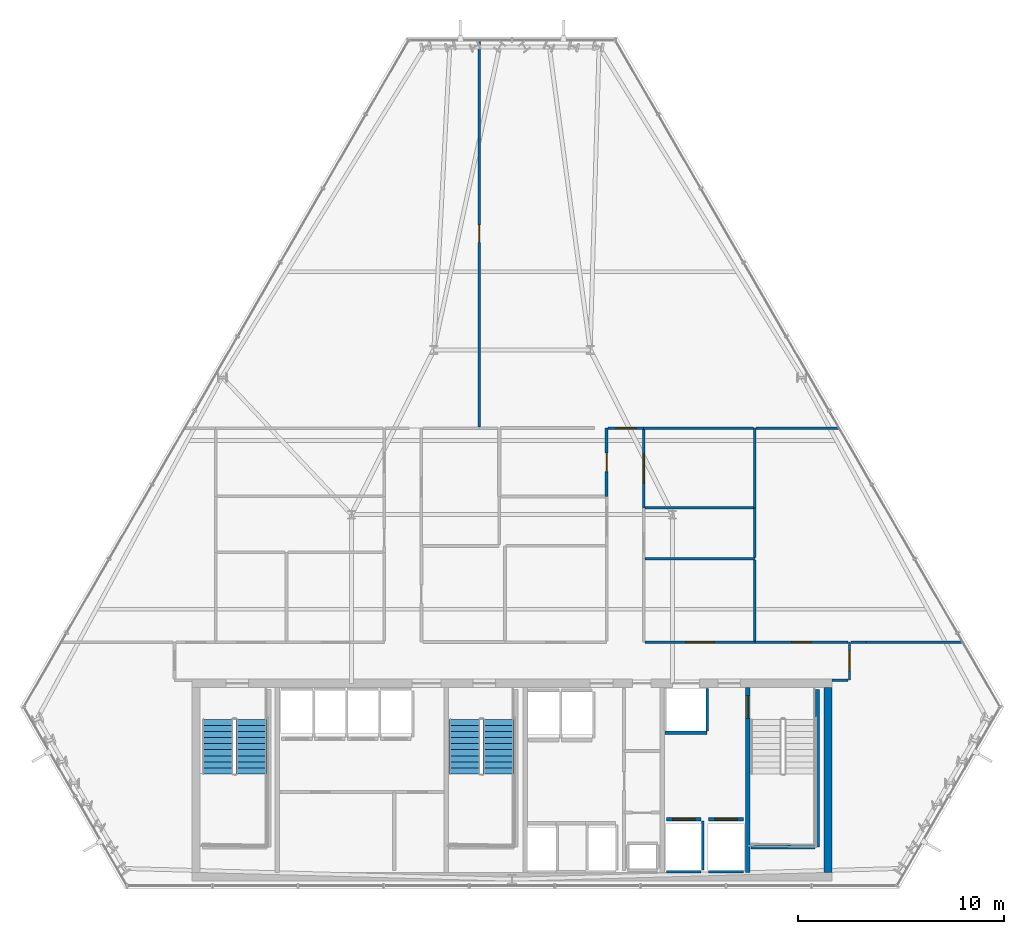
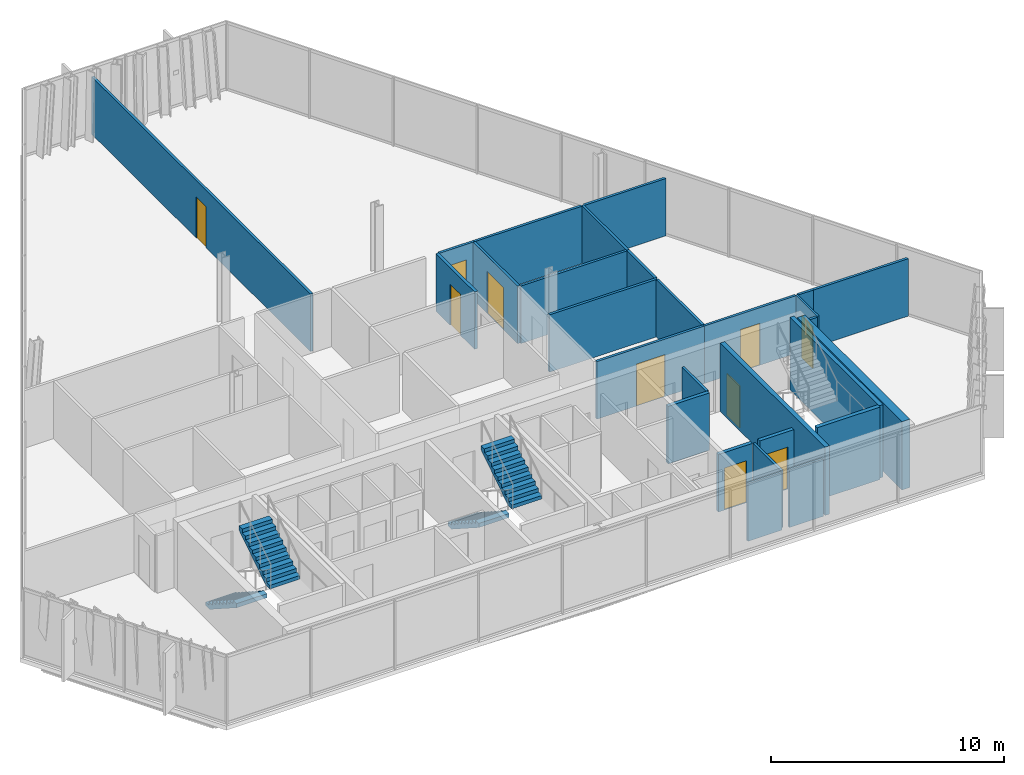
# One storey, part 30 of 35: 28 walls, 10 doors, 4 stair flights, 10 openings, 2 elements without a shape of their own.
"""IFC4 building model written with IfcOpenShell, lengths in metres."""

from ifc_helpers import new_model, si_unit, direction, frame, frame_2d, origin, place, context, subcontext, project, spatial, polyline, rectangle, outline, extrude, material, layer, layer_set, type_object, element, fill, aggregate, save


model = new_model("IFC4")

# Units and contexts
model_context = context("Model", 3, precision=1e-05, world=origin(), true_north=direction((0.0, 1.0)))
body_context = subcontext(model_context, "Body", "Model", "MODEL_VIEW")
ifc_project = project(units=[si_unit("LENGTHUNIT", "METRE"), si_unit("AREAUNIT", "SQUARE_METRE"), si_unit("VOLUMEUNIT", "CUBIC_METRE"), si_unit("PLANEANGLEUNIT", "RADIAN"), si_unit("MASSUNIT", "GRAM", prefix="KILO")], contexts=[model_context])

# Site, building, storey
site_placement = place(None, origin())
site = spatial("IfcSite", under=ifc_project, at=site_placement, CompositionType="ELEMENT")
building_placement = place(site_placement, origin())
building = spatial("IfcBuilding", under=site, at=building_placement, Name="Ndaravel Arena Tower", CompositionType="ELEMENT")
storey_placement = place(building_placement, frame((0.0, 0.0, 180.199951171875)))
storey = spatial("IfcBuildingStorey", under=building, at=storey_placement, Name="L43", CompositionType="ELEMENT", Elevation=180.199951171875)

# Wall, opening, door
ifc_material_1 = material(Name="Concrete C50/60", Category="concrete")
ifc_layer_1 = layer(ifc_material_1, 0.219970703125)
ifc_layer_set_1 = layer_set([ifc_layer_1], Name="Concrete C50/60")
wall_type_1 = type_object("IfcWallType", Name="WALL-CORE-220", PredefinedType="SOLIDWALL", material=ifc_layer_set_1)
wall_1_placement = place(storey_placement, frame((53.449951171875, 5.800048828125, 0.0), z_axis=(0.0, 0.0, 1.0), x_axis=(0.0, 1.0, 0.0)))
wall_1 = element("IfcWall", 1, at=wall_1_placement, inside=storey, type_object=wall_type_1, Name="L43 Core Web Shear Wall 5", PredefinedType="SOLIDWALL", context=body_context, shape_type="SweptSolid", body=[
    extrude(rectangle(XDim=9.0, YDim=0.219970703125, at=frame_2d((4.5, 0.0))), origin(), (0.0, 0.0, 1.0), 3.580078125),
])
opening_1_placement = place(wall_1_placement, frame((7.5, 0.0, 0.0)))
opening_1 = element("IfcOpeningElement", 2, at=opening_1_placement, cuts=wall_1, Name="Opening FD-01", PredefinedType="OPENING", context=body_context, shape_type="SweptSolid", body=[
    extrude(rectangle(XDim=1.10009765625, YDim=2.199951171875, at=frame_2d((0.550048828125, 1.10009765625))), frame((0.0, 0.10986328125, 0.0), z_axis=(0.0, -1.0, 0.0), x_axis=(1.0, 0.0, 0.0)), (0.0, 0.0, 1.0), 0.219970703125),
])
ifc_material_2 = material(Name="Steel S355", Category="steel")
door_type_1 = type_object("IfcDoorType", Name="DT-01-STAIR-1100", OperationType="SINGLE_SWING_LEFT", PredefinedType="DOOR", material=ifc_material_2)
door_1_placement = place(opening_1_placement, origin())
door_1 = element("IfcDoor", 3, at=door_1_placement, inside=storey, type_object=door_type_1, Name="L43 Firefighting Lobby to ST-3 Door", OperationType="SINGLE_SWING_LEFT", OverallHeight=2.199951171875, OverallWidth=1.10009765625, PredefinedType="DOOR", context=body_context, shape_type="SweptSolid", body=[
    extrude(rectangle(XDim=1.10009765625, YDim=2.199951171875, at=frame_2d((0.550048828125, 1.10009765625))), frame((0.0, 0.02490234375, 0.0), z_axis=(0.0, -1.0, 0.0), x_axis=(1.0, 0.0, 0.0)), (0.0, 0.0, 1.0), 0.050048828125),
])
fill(opening_1, door_1)

# Wall
ifc_material_3 = material(Name="Concrete C50/60", Category="concrete")
ifc_layer_2 = layer(ifc_material_3, 0.39990234375)
ifc_layer_set_2 = layer_set([ifc_layer_2], Name="Concrete C50/60")
wall_type_2 = type_object("IfcWallType", Name="WALL-CORE-400", PredefinedType="SOLIDWALL", material=ifc_layer_set_2)
wall_2_placement = place(storey_placement, frame((57.35009765625, 5.800048828125, 0.0), z_axis=(0.0, 0.0, 1.0), x_axis=(0.0, 1.0, 0.0)))
element("IfcWall", 4, at=wall_2_placement, inside=storey, type_object=wall_type_2, Name="L43 Core East Shear Wall", PredefinedType="SOLIDWALL", context=body_context, shape_type="SweptSolid", body=[
    extrude(rectangle(XDim=9.0, YDim=0.39990234375, at=frame_2d((4.5, 0.0))), origin(), (0.0, 0.0, 1.0), 3.580078125),
])

# Wall, opening, door
ifc_material_4 = material(Name="Timber", Category="wood")
ifc_layer_3 = layer(ifc_material_4, 0.10009765625)
ifc_layer_set_3 = layer_set([ifc_layer_3], Name="Timber")
wall_type_3 = type_object("IfcWallType", Name="WALL-MOVABLE-100", PredefinedType="MOVABLE", material=ifc_layer_set_3)
wall_3_placement = place(storey_placement, frame((58.39990234375, 17.0, 0.0), z_axis=(0.0, 0.0, 1.0), x_axis=(0.0, -1.0, 0.0)))
wall_3 = element("IfcWall", 5, at=wall_3_placement, inside=storey, type_object=wall_type_3, Name="L43 Interior Partition 001", PredefinedType="MOVABLE", context=body_context, shape_type="SweptSolid", body=[
    extrude(rectangle(XDim=1.85009765625, YDim=0.10009765625, at=frame_2d((0.925048828125, 0.0))), origin(), (0.0, 0.0, 1.0), 3.010498046875),
])
opening_2_placement = place(wall_3_placement, frame((0.449951171875, 0.0, 0.0)))
opening_2 = element("IfcOpeningElement", 6, at=opening_2_placement, cuts=wall_3, Name="Opening ID-01", PredefinedType="OPENING", context=body_context, shape_type="SweptSolid", body=[
    extrude(rectangle(XDim=0.949951171875, YDim=2.199951171875, at=frame_2d((0.47509765625, 1.10009765625))), frame((0.0, 0.050048828125, 0.0), z_axis=(0.0, -1.0, 0.0), x_axis=(1.0, 0.0, 0.0)), (0.0, 0.0, 1.0), 0.10009765625),
])
ifc_material_5 = material(Name="Timber", Category="wood")
door_type_2 = type_object("IfcDoorType", Name="DT-03-OFFICE-950", OperationType="SINGLE_SWING_LEFT", PredefinedType="DOOR", material=ifc_material_5)
door_2_placement = place(opening_2_placement, origin())
door_2 = element("IfcDoor", 7, at=door_2_placement, inside=storey, type_object=door_type_2, Name="L43 Design Bookshop Boutique Door", OperationType="SINGLE_SWING_LEFT", OverallHeight=2.199951171875, OverallWidth=0.949951171875, PredefinedType="DOOR", context=body_context, shape_type="SweptSolid", body=[
    extrude(rectangle(XDim=0.949951171875, YDim=2.199951171875, at=frame_2d((0.47509765625, 1.10009765625))), frame((0.0, 0.02490234375, 0.0), z_axis=(0.0, -1.0, 0.0), x_axis=(1.0, 0.0, 0.0)), (0.0, 0.0, 1.0), 0.050048828125),
])
fill(opening_2, door_2)

# Wall
ifc_material_6 = material(Name="Gypsum", Category="gypsum")
ifc_layer_4 = layer(ifc_material_6, 0.125)
ifc_layer_set_4 = layer_set([ifc_layer_4], Name="Gypsum")
wall_type_4 = type_object("IfcWallType", Name="WALL-PART-125", PredefinedType="PARTITIONING", material=ifc_layer_set_4)
wall_4_placement = place(storey_placement, frame((58.3349609375, 15.14990234375, 0.0), z_axis=(0.0, 0.0, 1.0), x_axis=(-1.0, 0.0, 0.0)))
element("IfcWall", 8, at=wall_4_placement, inside=storey, type_object=wall_type_4, Name="L43 Interior Partition 002", PredefinedType="PARTITIONING", context=body_context, shape_type="SweptSolid", body=[
    extrude(rectangle(XDim=0.784912109375, YDim=0.125, at=frame_2d((0.392578125, 0.0))), origin(), (0.0, 0.0, 1.0), 3.010498046875),
])

# Wall, opening, door
wall_5_placement = place(storey_placement, frame((46.6650390625, 27.39990234375, 0.0), z_axis=(0.0, 0.0, 1.0), x_axis=(1.0, 0.0, 0.0)))
wall_5 = element("IfcWall", 9, at=wall_5_placement, inside=storey, type_object=wall_type_4, Name="L43 Interior Partition 019", PredefinedType="PARTITIONING", context=body_context, shape_type="SweptSolid", body=[
    extrude(rectangle(XDim=1.73486328125, YDim=0.125, at=frame_2d((0.867431640625, 0.0))), origin(), (0.0, 0.0, 1.0), 3.010498046875),
])
opening_3_placement = place(wall_5_placement, frame((0.392578125, 0.0, 0.0)))
opening_3 = element("IfcOpeningElement", 10, at=opening_3_placement, cuts=wall_5, Name="Opening ID-01", PredefinedType="OPENING", context=body_context, shape_type="SweptSolid", body=[
    extrude(rectangle(XDim=0.949951171875, YDim=2.199951171875, at=frame_2d((0.47509765625, 1.10009765625))), frame((0.0, 0.0625, 0.0), z_axis=(0.0, -1.0, 0.0), x_axis=(1.0, 0.0, 0.0)), (0.0, 0.0, 1.0), 0.125),
])
door_3_placement = place(opening_3_placement, origin())
door_3 = element("IfcDoor", 11, at=door_3_placement, inside=storey, type_object=door_type_2, Name="L43 Innovation Showroom 7 Door", OperationType="SINGLE_SWING_LEFT", OverallHeight=2.199951171875, OverallWidth=0.949951171875, PredefinedType="DOOR", context=body_context, shape_type="SweptSolid", body=[
    extrude(rectangle(XDim=0.949951171875, YDim=2.199951171875, at=frame_2d((0.47509765625, 1.10009765625))), frame((0.0, 0.02490234375, 0.0), z_axis=(0.0, -1.0, 0.0), x_axis=(1.0, 0.0, 0.0)), (0.0, 0.0, 1.0), 0.050048828125),
])
fill(opening_3, door_3)

wall_6_placement = place(storey_placement, frame((48.39990234375, 27.3349609375, 0.0), z_axis=(0.0, 0.0, 1.0), x_axis=(0.0, -1.0, 0.0)))
wall_6 = element("IfcWall", 12, at=wall_6_placement, inside=storey, type_object=wall_type_4, Name="L43 Interior Partition 020", PredefinedType="PARTITIONING", context=body_context, shape_type="SweptSolid", body=[
    extrude(rectangle(XDim=3.8046875, YDim=0.125, at=frame_2d((1.90234375, 0.0))), origin(), (0.0, 0.0, 1.0), 3.010498046875),
])
opening_4_placement = place(wall_6_placement, frame((1.202392578125, 0.0, 0.0)))
opening_4 = element("IfcOpeningElement", 13, at=opening_4_placement, cuts=wall_6, Name="Opening ID-02", PredefinedType="OPENING", context=body_context, shape_type="SweptSolid", body=[
    extrude(rectangle(XDim=1.39990234375, YDim=2.199951171875, at=frame_2d((0.699951171875, 1.10009765625))), frame((0.0, 0.0625, 0.0), z_axis=(0.0, -1.0, 0.0), x_axis=(1.0, 0.0, 0.0)), (0.0, 0.0, 1.0), 0.125),
])
ifc_material_7 = material(Name="Timber", Category="wood")
door_type_3 = type_object("IfcDoorType", Name="DT-04-SUITE-1400", OperationType="DOUBLE_DOOR_SINGLE_SWING", PredefinedType="DOOR", material=ifc_material_7)
door_4_placement = place(opening_4_placement, origin())
door_4 = element("IfcDoor", 14, at=door_4_placement, inside=storey, type_object=door_type_3, Name="L43 Client Conference Room 6 Door", OperationType="SINGLE_SWING_LEFT", OverallHeight=2.199951171875, OverallWidth=1.39990234375, PredefinedType="DOOR", context=body_context, shape_type="SweptSolid", body=[
    extrude(rectangle(XDim=1.39990234375, YDim=2.199951171875, at=frame_2d((0.699951171875, 1.10009765625))), frame((0.0, 0.02490234375, 0.0), z_axis=(0.0, -1.0, 0.0), x_axis=(1.0, 0.0, 0.0)), (0.0, 0.0, 1.0), 0.050048828125),
])
fill(opening_4, door_4)

wall_7_placement = place(storey_placement, frame((48.465087890625, 17.0, 0.0), z_axis=(0.0, 0.0, 1.0), x_axis=(1.0, 0.0, 0.0)))
wall_7 = element("IfcWall", 15, at=wall_7_placement, inside=storey, type_object=wall_type_4, Name="L43 Interior Partition 023", PredefinedType="PARTITIONING", context=body_context, shape_type="SweptSolid", body=[
    extrude(rectangle(XDim=5.3349609375, YDim=0.125, at=frame_2d((2.66748046875, 0.0))), origin(), (0.0, 0.0, 1.0), 3.010498046875),
])
opening_5_placement = place(wall_7_placement, frame((1.967529296875, 0.0, 0.0)))
opening_5 = element("IfcOpeningElement", 16, at=opening_5_placement, cuts=wall_7, Name="Opening ID-02", PredefinedType="OPENING", context=body_context, shape_type="SweptSolid", body=[
    extrude(rectangle(XDim=1.39990234375, YDim=2.199951171875, at=frame_2d((0.699951171875, 1.10009765625))), frame((0.0, 0.0625, 0.0), z_axis=(0.0, -1.0, 0.0), x_axis=(1.0, 0.0, 0.0)), (0.0, 0.0, 1.0), 0.125),
])
door_5_placement = place(opening_5_placement, origin())
door_5 = element("IfcDoor", 17, at=door_5_placement, inside=storey, type_object=door_type_3, Name="L43 Collaborative Lounge Door", OperationType="SINGLE_SWING_RIGHT", OverallHeight=2.199951171875, OverallWidth=1.39990234375, PredefinedType="DOOR", context=body_context, shape_type="SweptSolid", body=[
    extrude(rectangle(XDim=1.39990234375, YDim=2.199951171875, at=frame_2d((0.699951171875, 1.10009765625))), frame((0.0, 0.02490234375, 0.0), z_axis=(0.0, -1.0, 0.0), x_axis=(1.0, 0.0, 0.0)), (0.0, 0.0, 1.0), 0.050048828125),
])
fill(opening_5, door_5)

wall_8_placement = place(storey_placement, frame((53.800048828125, 17.0, 0.0), z_axis=(0.0, 0.0, 1.0), x_axis=(1.0, 0.0, 0.0)))
wall_8 = element("IfcWall", 18, at=wall_8_placement, inside=storey, type_object=wall_type_4, Name="L43 Interior Partition 024", PredefinedType="PARTITIONING", context=body_context, shape_type="SweptSolid", body=[
    extrude(rectangle(XDim=4.534912109375, YDim=0.125, at=frame_2d((2.267578125, 0.0))), origin(), (0.0, 0.0, 1.0), 3.010498046875),
])
opening_6_placement = place(wall_8_placement, frame((1.79248046875, 0.0, 0.0)))
opening_6 = element("IfcOpeningElement", 19, at=opening_6_placement, cuts=wall_8, Name="Opening ID-01", PredefinedType="OPENING", context=body_context, shape_type="SweptSolid", body=[
    extrude(rectangle(XDim=0.949951171875, YDim=2.199951171875, at=frame_2d((0.47509765625, 1.10009765625))), frame((0.0, 0.0625, 0.0), z_axis=(0.0, -1.0, 0.0), x_axis=(1.0, 0.0, 0.0)), (0.0, 0.0, 1.0), 0.125),
])
door_6_placement = place(opening_6_placement, origin())
door_6 = element("IfcDoor", 20, at=door_6_placement, inside=storey, type_object=door_type_2, Name="L43 Innovation Showroom 3 Door", OperationType="SINGLE_SWING_RIGHT", OverallHeight=2.199951171875, OverallWidth=0.949951171875, PredefinedType="DOOR", context=body_context, shape_type="SweptSolid", body=[
    extrude(rectangle(XDim=0.949951171875, YDim=2.199951171875, at=frame_2d((0.47509765625, 1.10009765625))), frame((0.0, 0.02490234375, 0.0), z_axis=(0.0, -1.0, 0.0), x_axis=(1.0, 0.0, 0.0)), (0.0, 0.0, 1.0), 0.050048828125),
])
fill(opening_6, door_6)

# Walls
wall_9_placement = place(storey_placement, frame((58.465087890625, 17.0, 0.0), z_axis=(0.0, 0.0, 1.0), x_axis=(1.0, 0.0, 0.0)))
element("IfcWall", 21, at=wall_9_placement, inside=storey, type_object=wall_type_4, Name="L43 Interior Partition 026", PredefinedType="PARTITIONING", context=body_context, shape_type="SweptSolid", body=[
    extrude(rectangle(XDim=0.73486328125, YDim=0.125, at=frame_2d((0.367431640625, 0.0))), origin(), (0.0, 0.0, 1.0), 3.010498046875),
])
wall_10_placement = place(storey_placement, frame((59.199951171875, 17.0, 0.0), z_axis=(0.0, 0.0, 1.0), x_axis=(1.0, 0.0, 0.0)))
element("IfcWall", 22, at=wall_10_placement, inside=storey, type_object=wall_type_4, Name="L43 Interior Partition 027", PredefinedType="PARTITIONING", context=body_context, shape_type="SweptSolid", body=[
    extrude(rectangle(XDim=4.705322265625, YDim=0.125, at=frame_2d((2.3525390625, 0.0))), origin(), (0.0, 0.0, 1.0), 3.010498046875),
])
wall_11_placement = place(storey_placement, frame((48.465087890625, 21.055908203125, 0.0), z_axis=(0.0, 0.0, 1.0), x_axis=(1.0, 0.0, 0.0)))
element("IfcWall", 23, at=wall_11_placement, inside=storey, type_object=wall_type_4, Name="L43 Interior Partition 028", PredefinedType="PARTITIONING", context=body_context, shape_type="SweptSolid", body=[
    extrude(rectangle(XDim=5.3349609375, YDim=0.125, at=frame_2d((2.66748046875, 0.0))), origin(), (0.0, 0.0, 1.0), 3.010498046875),
])
wall_12_placement = place(storey_placement, frame((53.800048828125, 20.990966796875, 0.0), z_axis=(0.0, 0.0, 1.0), x_axis=(0.0, -1.0, 0.0)))
element("IfcWall", 24, at=wall_12_placement, inside=storey, type_object=wall_type_4, Name="L43 Interior Partition 029", PredefinedType="PARTITIONING", context=body_context, shape_type="SweptSolid", body=[
    extrude(rectangle(XDim=3.926025390625, YDim=0.125, at=frame_2d((1.962890625, 0.0))), origin(), (0.0, 0.0, 1.0), 3.010498046875),
])
wall_13_placement = place(storey_placement, frame((53.800048828125, 21.12109375, 0.0), z_axis=(0.0, 0.0, 1.0), x_axis=(0.0, 1.0, 0.0)))
element("IfcWall", 25, at=wall_13_placement, inside=storey, type_object=wall_type_4, Name="L43 Interior Partition 040", PredefinedType="PARTITIONING", context=body_context, shape_type="SweptSolid", body=[
    extrude(rectangle(XDim=2.4091796875, YDim=0.125, at=frame_2d((1.20458984375, 0.0))), origin(), (0.0, 0.0, 1.0), 3.010498046875),
])
wall_14_placement = place(storey_placement, frame((53.800048828125, 23.5302734375, 0.0), z_axis=(0.0, 0.0, 1.0), x_axis=(0.0, 1.0, 0.0)))
element("IfcWall", 26, at=wall_14_placement, inside=storey, type_object=wall_type_4, Name="L43 Interior Partition 041", PredefinedType="PARTITIONING", context=body_context, shape_type="SweptSolid", body=[
    extrude(rectangle(XDim=3.86962890625, YDim=0.125, at=frame_2d((1.934814453125, 0.0))), origin(), (0.0, 0.0, 1.0), 3.010498046875),
])
wall_15_placement = place(storey_placement, frame((53.864990234375, 27.39990234375, 0.0), z_axis=(0.0, 0.0, 1.0), x_axis=(1.0, 0.0, 0.0)))
element("IfcWall", 27, at=wall_15_placement, inside=storey, type_object=wall_type_4, Name="L43 Interior Partition 042", PredefinedType="PARTITIONING", context=body_context, shape_type="SweptSolid", body=[
    extrude(rectangle(XDim=4.035888671875, YDim=0.125, at=frame_2d((2.01806640625, 0.0))), origin(), (0.0, 0.0, 1.0), 3.010498046875),
])
wall_16_placement = place(storey_placement, frame((48.465087890625, 23.5302734375, 0.0), z_axis=(0.0, 0.0, 1.0), x_axis=(1.0, 0.0, 0.0)))
element("IfcWall", 28, at=wall_16_placement, inside=storey, type_object=wall_type_4, Name="L43 Interior Partition 043", PredefinedType="PARTITIONING", context=body_context, shape_type="SweptSolid", body=[
    extrude(rectangle(XDim=5.27001953125, YDim=0.125, at=frame_2d((2.635009765625, 0.0))), origin(), (0.0, 0.0, 1.0), 3.010498046875),
])
wall_17_placement = place(storey_placement, frame((48.39990234375, 27.39990234375, 0.0), z_axis=(0.0, 0.0, 1.0), x_axis=(1.0, 0.0, 0.0)))
element("IfcWall", 29, at=wall_17_placement, inside=storey, type_object=wall_type_4, Name="L43 Interior Partition 050", PredefinedType="PARTITIONING", context=body_context, shape_type="SweptSolid", body=[
    extrude(rectangle(XDim=5.335205078125, YDim=0.125, at=frame_2d((2.66748046875, 0.0))), origin(), (0.0, 0.0, 1.0), 3.010498046875),
])
ifc_material_8 = material(Name="Concrete C40/50", Category="concrete")
ifc_layer_5 = layer(ifc_material_8, 0.1201171875)
ifc_layer_set_5 = layer_set([ifc_layer_5], Name="Concrete C40/50")
wall_type_5 = type_object("IfcWallType", Name="WALL-SHAFT-120", PredefinedType="SOLIDWALL", material=ifc_layer_set_5)
wall_18_placement = place(storey_placement, frame((49.5048828125, 5.840087890625, 0.0), z_axis=(0.0, 0.0, 1.0), x_axis=(1.0, 0.0, 0.0)))
element("IfcWall", 30, at=wall_18_placement, inside=storey, type_object=wall_type_5, Name="L43 FFL-1 Shaft Rear Wall", PredefinedType="SOLIDWALL", context=body_context, shape_type="SweptSolid", body=[
    extrude(rectangle(XDim=1.690185546875, YDim=0.1201171875, at=frame_2d((0.84521484375, 0.0))), origin(), (0.0, 0.0, 1.0), 3.010498046875),
])
wall_19_placement = place(storey_placement, frame((51.27490234375, 5.929931640625, 0.0), z_axis=(0.0, 0.0, 1.0), x_axis=(0.0, 1.0, 0.0)))
element("IfcWall", 31, at=wall_19_placement, inside=storey, type_object=wall_type_5, Name="L43 FFL-1 Shaft Side R Wall", PredefinedType="SOLIDWALL", context=body_context, shape_type="SweptSolid", body=[
    extrude(rectangle(XDim=2.380126953125, YDim=0.1201171875, at=frame_2d((1.18994140625, 0.0))), origin(), (0.0, 0.0, 1.0), 3.010498046875),
])
wall_20_placement = place(storey_placement, frame((51.554931640625, 5.840087890625, 0.0), z_axis=(0.0, 0.0, 1.0), x_axis=(1.0, 0.0, 0.0)))
element("IfcWall", 32, at=wall_20_placement, inside=storey, type_object=wall_type_5, Name="L43 FFL-2 Shaft Rear Wall", PredefinedType="SOLIDWALL", context=body_context, shape_type="SweptSolid", body=[
    extrude(rectangle(XDim=1.690185546875, YDim=0.1201171875, at=frame_2d((0.84521484375, 0.0))), origin(), (0.0, 0.0, 1.0), 3.010498046875),
])
wall_21_placement = place(storey_placement, frame((51.47998046875, 12.68994140625, 0.0), z_axis=(0.0, 0.0, 1.0), x_axis=(0.0, 1.0, 0.0)))
element("IfcWall", 33, at=wall_21_placement, inside=storey, type_object=wall_type_5, Name="L43 SVL-1 Shaft E Wall", PredefinedType="SOLIDWALL", context=body_context, shape_type="SweptSolid", body=[
    extrude(rectangle(XDim=2.070068359375, YDim=0.1201171875, at=frame_2d((1.03515625, 0.0))), origin(), (0.0, 0.0, 1.0), 3.010498046875),
])
ifc_material_9 = material(Name="Concrete C40/50", Category="concrete")
ifc_layer_6 = layer(ifc_material_9, 0.199951171875)
ifc_layer_set_6 = layer_set([ifc_layer_6], Name="Concrete C40/50")
wall_type_6 = type_object("IfcWallType", Name="WALL-SHAFT-200", PredefinedType="SOLIDWALL", material=ifc_layer_set_6)
wall_22_placement = place(storey_placement, frame((56.840087890625, 14.699951171875, 0.0), z_axis=(0.0, 0.0, 1.0), x_axis=(0.0, -1.0, 0.0)))
element("IfcWall", 34, at=wall_22_placement, inside=storey, type_object=wall_type_6, Name="L43 ST-3 Structural Shaft Wall Right", PredefinedType="SOLIDWALL", context=body_context, shape_type="SweptSolid", body=[
    extrude(rectangle(XDim=7.64990234375, YDim=0.199951171875, at=frame_2d((3.824951171875, 0.0))), origin(), (0.0, 0.0, 1.0), 3.800048828125),
])
wall_23_placement = place(storey_placement, frame((53.6201171875, 7.050048828125, 0.0), z_axis=(0.0, 0.0, 1.0), x_axis=(1.0, 0.0, 0.0)))
element("IfcWall", 35, at=wall_23_placement, inside=storey, type_object=wall_type_6, Name="L43 ST-3 Structural Shaft Wall Far", PredefinedType="SOLIDWALL", context=body_context, shape_type="SweptSolid", body=[
    extrude(rectangle(XDim=3.114990234375, YDim=0.199951171875, at=frame_2d((1.5576171875, 0.0))), origin(), (0.0, 0.0, 1.0), 3.800048828125),
])

# Wall, opening, door
wall_24_placement = place(storey_placement, frame((49.5048828125, 8.39990234375, 0.0), z_axis=(0.0, 0.0, 1.0), x_axis=(1.0, 0.0, 0.0)))
wall_24 = element("IfcWall", 36, at=wall_24_placement, inside=storey, type_object=wall_type_6, Name="L43 FFL-1 Shaft Landing Wall", PredefinedType="SOLIDWALL", context=body_context, shape_type="SweptSolid", body=[
    extrude(rectangle(XDim=1.690185546875, YDim=0.179931640625, at=frame_2d((0.84521484375, 0.0))), origin(), (0.0, 0.0, 1.0), 3.010498046875),
])
opening_7_placement = place(wall_24_placement, frame((0.294921875, 0.0, 0.0)))
opening_7 = element("IfcOpeningElement", 37, at=opening_7_placement, cuts=wall_24, Name="Opening LD-01", PredefinedType="OPENING", context=body_context, shape_type="SweptSolid", body=[
    extrude(rectangle(XDim=1.10009765625, YDim=2.199951171875, at=frame_2d((0.550048828125, 1.10009765625))), frame((0.0, 0.08984375, 0.0), z_axis=(0.0, -1.0, 0.0), x_axis=(1.0, 0.0, 0.0)), (0.0, 0.0, 1.0), 0.179931640625),
])
ifc_material_10 = material(Name="Steel S355", Category="steel")
door_type_4 = type_object("IfcDoorType", Name="DT-06-LIFT-1100", OperationType="SLIDING_TO_LEFT", PredefinedType="DOOR", material=ifc_material_10)
door_7_placement = place(opening_7_placement, origin())
door_7 = element("IfcDoor", 38, at=door_7_placement, inside=storey, type_object=door_type_4, Name="L43 Lift FFL-1 Sliding Landing Door", OperationType="SLIDING_TO_LEFT", OverallHeight=2.199951171875, OverallWidth=1.10009765625, PredefinedType="DOOR", context=body_context, shape_type="SweptSolid", body=[
    extrude(rectangle(XDim=1.10009765625, YDim=2.199951171875, at=frame_2d((0.550048828125, 1.10009765625))), frame((0.0, 0.02490234375, 0.0), z_axis=(0.0, -1.0, 0.0), x_axis=(1.0, 0.0, 0.0)), (0.0, 0.0, 1.0), 0.050048828125),
])
fill(opening_7, door_7)

wall_25_placement = place(storey_placement, frame((51.554931640625, 8.39990234375, 0.0), z_axis=(0.0, 0.0, 1.0), x_axis=(1.0, 0.0, 0.0)))
wall_25 = element("IfcWall", 39, at=wall_25_placement, inside=storey, type_object=wall_type_6, Name="L43 FFL-2 Shaft Landing Wall", PredefinedType="SOLIDWALL", context=body_context, shape_type="SweptSolid", body=[
    extrude(rectangle(XDim=1.690185546875, YDim=0.179931640625, at=frame_2d((0.84521484375, 0.0))), origin(), (0.0, 0.0, 1.0), 3.010498046875),
])
opening_8_placement = place(wall_25_placement, frame((0.294921875, 0.0, 0.0)))
opening_8 = element("IfcOpeningElement", 40, at=opening_8_placement, cuts=wall_25, Name="Opening LD-01", PredefinedType="OPENING", context=body_context, shape_type="SweptSolid", body=[
    extrude(rectangle(XDim=1.10009765625, YDim=2.199951171875, at=frame_2d((0.550048828125, 1.10009765625))), frame((0.0, 0.08984375, 0.0), z_axis=(0.0, -1.0, 0.0), x_axis=(1.0, 0.0, 0.0)), (0.0, 0.0, 1.0), 0.179931640625),
])
door_8_placement = place(opening_8_placement, origin())
door_8 = element("IfcDoor", 41, at=door_8_placement, inside=storey, type_object=door_type_4, Name="L43 Lift FFL-2 Sliding Landing Door", OperationType="SLIDING_TO_LEFT", OverallHeight=2.199951171875, OverallWidth=1.10009765625, PredefinedType="DOOR", context=body_context, shape_type="SweptSolid", body=[
    extrude(rectangle(XDim=1.10009765625, YDim=2.199951171875, at=frame_2d((0.550048828125, 1.10009765625))), frame((0.0, 0.02490234375, 0.0), z_axis=(0.0, -1.0, 0.0), x_axis=(1.0, 0.0, 0.0)), (0.0, 0.0, 1.0), 0.050048828125),
])
fill(opening_8, door_8)

# Wall
wall_26_placement = place(storey_placement, frame((49.43994140625, 12.594970703125, 0.0), z_axis=(0.0, 0.0, 1.0), x_axis=(1.0, 0.0, 0.0)))
element("IfcWall", 42, at=wall_26_placement, inside=storey, type_object=wall_type_6, Name="L43 SVL-1 Shaft South Wall", PredefinedType="SOLIDWALL", context=body_context, shape_type="SweptSolid", body=[
    extrude(rectangle(XDim=2.0400390625, YDim=0.179931640625, at=frame_2d((1.02001953125, 0.0))), origin(), (0.0, 0.0, 1.0), 3.010498046875),
])

# Wall, opening, door
ifc_material_11 = material(Name="Masonry", Category="masonry")
ifc_layer_7 = layer(ifc_material_11, 0.14990234375)
ifc_layer_set_7 = layer_set([ifc_layer_7], Name="Masonry")
wall_type_7 = type_object("IfcWallType", Name="WALL-WET-150", PredefinedType="PARTITIONING", material=ifc_layer_set_7)
wall_27_placement = place(storey_placement, frame((46.60009765625, 24.08251953125, 0.0), z_axis=(0.0, 0.0, 1.0), x_axis=(0.0, 1.0, 0.0)))
wall_27 = element("IfcWall", 43, at=wall_27_placement, inside=storey, type_object=wall_type_7, Name="L43 Interior Partition 018", PredefinedType="PARTITIONING", context=body_context, shape_type="SweptSolid", body=[
    extrude(rectangle(XDim=3.3173828125, YDim=0.14990234375, at=frame_2d((1.65869140625, 0.0))), origin(), (0.0, 0.0, 1.0), 3.010498046875),
])
opening_9_placement = place(wall_27_placement, frame((1.208740234375, 0.0, 0.0)))
opening_9 = element("IfcOpeningElement", 44, at=opening_9_placement, cuts=wall_27, Name="Opening WD-01", PredefinedType="OPENING", context=body_context, shape_type="SweptSolid", body=[
    extrude(rectangle(XDim=0.89990234375, YDim=2.14990234375, at=frame_2d((0.449951171875, 1.074951171875))), frame((0.0, 0.074951171875, 0.0), z_axis=(0.0, -1.0, 0.0), x_axis=(1.0, 0.0, 0.0)), (0.0, 0.0, 1.0), 0.14990234375),
])
ifc_material_12 = material(Name="Timber", Category="wood")
door_type_5 = type_object("IfcDoorType", Name="DT-05-WC-900", OperationType="SINGLE_SWING_LEFT", PredefinedType="DOOR", material=ifc_material_12)
door_9_placement = place(opening_9_placement, origin())
door_9 = element("IfcDoor", 45, at=door_9_placement, inside=storey, type_object=door_type_5, Name="L43 Female & Accessible Restroom Door", OperationType="SINGLE_SWING_LEFT", OverallHeight=2.14990234375, OverallWidth=0.89990234375, PredefinedType="DOOR", context=body_context, shape_type="SweptSolid", body=[
    extrude(rectangle(XDim=0.89990234375, YDim=2.14990234375, at=frame_2d((0.449951171875, 1.074951171875))), frame((0.0, 0.02490234375, 0.0), z_axis=(0.0, -1.0, 0.0), x_axis=(1.0, 0.0, 0.0)), (0.0, 0.0, 1.0), 0.050048828125),
])
fill(opening_9, door_9)

wall_28_placement = place(storey_placement, frame((40.409912109375, 46.248291015625, 0.0), z_axis=(0.0, 0.0, 1.0), x_axis=(0.0, -1.0, 0.0)))
wall_28 = element("IfcWall", 46, at=wall_28_placement, inside=storey, type_object=wall_type_7, Name="L43 Interior Partition 053", PredefinedType="PARTITIONING", context=body_context, shape_type="SweptSolid", body=[
    extrude(rectangle(XDim=18.783203125, YDim=0.125, at=frame_2d((9.3916015625, 0.0))), origin(), (0.0, 0.0, 1.0), 3.010498046875),
])
opening_10_placement = place(wall_28_placement, frame((8.966552734375, 0.0, 0.0)))
opening_10 = element("IfcOpeningElement", 47, at=opening_10_placement, cuts=wall_28, Name="Opening ID-03", PredefinedType="OPENING", context=body_context, shape_type="SweptSolid", body=[
    extrude(rectangle(XDim=0.85009765625, YDim=2.14990234375, at=frame_2d((0.425048828125, 1.074951171875))), frame((0.0, 0.0625, 0.0), z_axis=(0.0, -1.0, 0.0), x_axis=(1.0, 0.0, 0.0)), (0.0, 0.0, 1.0), 0.125),
])
ifc_material_13 = material(Name="Timber", Category="wood")
door_type_6 = type_object("IfcDoorType", Name="DT-12-SUB-850", OperationType="SINGLE_SWING_LEFT", PredefinedType="DOOR", material=ifc_material_13)
door_10_placement = place(opening_10_placement, origin())
door_10 = element("IfcDoor", 48, at=door_10_placement, inside=storey, type_object=door_type_6, Name="L43 Project Seminar Room 7 Door", OperationType="SINGLE_SWING_LEFT", OverallHeight=2.14990234375, OverallWidth=0.85009765625, PredefinedType="DOOR", context=body_context, shape_type="SweptSolid", body=[
    extrude(rectangle(XDim=0.85009765625, YDim=2.14990234375, at=frame_2d((0.425048828125, 1.074951171875))), frame((0.0, 0.02490234375, 0.0), z_axis=(0.0, -1.0, 0.0), x_axis=(1.0, 0.0, 0.0)), (0.0, 0.0, 1.0), 0.050048828125),
])
fill(opening_10, door_10)

# Stair, stair flights
ifc_material_14 = material(Name="Concrete C40/50", Category="concrete")
stair_type = type_object("IfcStairType", Name="STAIR-CORE-HT", PredefinedType="HALF_TURN_STAIR", material=ifc_material_14)
stair_1_placement = place(storey_placement, origin())
stair_1 = element("IfcStair", 49, at=stair_1_placement, inside=storey, type_object=stair_type, Name="L43 ST-1", PredefinedType="HALF_TURN_STAIR")
ifc_material_15 = material(Name="Concrete C40/50", Category="concrete")
stair_flight_type = type_object("IfcStairFlightType", Name="SFLIGHT-CORE-1680", PredefinedType="STRAIGHT", material=ifc_material_15)
stair_flight_1_placement = place(storey_placement, frame((27.699951171875, 13.25, 0.0), z_axis=(0.0, 0.0, 1.0), x_axis=(0.0, -1.0, 0.0)))
stair_flight_1 = element("IfcStairFlight", 50, at=stair_flight_1_placement, type_object=stair_flight_type, Name="ST-1 flight 1", NumberOfRisers=10, NumberOfTreads=9, PredefinedType="STRAIGHT", RiserHeight=0.19, TreadLength=0.295, context=body_context, shape_type="SweptSolid", body=[
    extrude(outline(polyline([(0.0, 0.0), (0.0, 0.18994140625), (0.294921875, 0.18994140625), (0.294921875, 0.3798828125), (0.590087890625, 0.3798828125), (0.590087890625, 0.570068359375), (0.885009765625, 0.570068359375), (0.885009765625, 0.760009765625), (1.179931640625, 0.760009765625), (1.179931640625, 0.949951171875), (1.47509765625, 0.949951171875), (1.47509765625, 1.139892578125), (1.77001953125, 1.139892578125), (1.77001953125, 1.330078125), (2.06494140625, 1.330078125), (2.06494140625, 1.52001953125), (2.360107421875, 1.52001953125), (2.360107421875, 1.7099609375), (2.655029296875, 1.7099609375), (2.655029296875, 1.89990234375), (2.655029296875, 1.49609375), (0.332275390625, 0.0), (0.0, 0.0)])), frame((0.0, 0.75, 0.0), z_axis=(0.0, -1.0, 0.0), x_axis=(1.0, 0.0, 0.0)), (0.0, 0.0, 1.0), 1.5),
])
stair_flight_2_placement = place(storey_placement, frame((29.340087890625, 10.594970703125, 1.900146484375), z_axis=(0.0, 0.0, 1.0), x_axis=(0.0, 1.0, 0.0)))
stair_flight_2 = element("IfcStairFlight", 51, at=stair_flight_2_placement, type_object=stair_flight_type, Name="ST-1 flight 2", NumberOfRisers=10, NumberOfTreads=9, PredefinedType="STRAIGHT", RiserHeight=0.19, TreadLength=0.295, context=body_context, shape_type="SweptSolid", body=[
    extrude(outline(polyline([(0.0, 0.0), (0.0, 0.18994140625), (0.294921875, 0.18994140625), (0.294921875, 0.3798828125), (0.590087890625, 0.3798828125), (0.590087890625, 0.570068359375), (0.885009765625, 0.570068359375), (0.885009765625, 0.760009765625), (1.179931640625, 0.760009765625), (1.179931640625, 0.949951171875), (1.47509765625, 0.949951171875), (1.47509765625, 1.139892578125), (1.77001953125, 1.139892578125), (1.77001953125, 1.330078125), (2.06494140625, 1.330078125), (2.06494140625, 1.52001953125), (2.360107421875, 1.52001953125), (2.360107421875, 1.7099609375), (2.655029296875, 1.7099609375), (2.655029296875, 1.89990234375), (2.655029296875, 1.49609375), (0.332275390625, 0.0), (0.0, 0.0)])), frame((0.0, 0.75, 0.0), z_axis=(0.0, -1.0, 0.0), x_axis=(1.0, 0.0, 0.0)), (0.0, 0.0, 1.0), 1.5),
])
aggregate(stair_1, [stair_flight_1, stair_flight_2])

stair_2_placement = place(storey_placement, origin())
stair_2 = element("IfcStair", 52, at=stair_2_placement, inside=storey, type_object=stair_type, Name="L43 ST-2", PredefinedType="HALF_TURN_STAIR")
stair_flight_3_placement = place(storey_placement, frame((39.699951171875, 13.25, 0.0), z_axis=(0.0, 0.0, 1.0), x_axis=(0.0, -1.0, 0.0)))
stair_flight_3 = element("IfcStairFlight", 53, at=stair_flight_3_placement, type_object=stair_flight_type, Name="ST-2 flight 1", NumberOfRisers=10, NumberOfTreads=9, PredefinedType="STRAIGHT", RiserHeight=0.19, TreadLength=0.295, context=body_context, shape_type="SweptSolid", body=[
    extrude(outline(polyline([(0.0, 0.0), (0.0, 0.18994140625), (0.294921875, 0.18994140625), (0.294921875, 0.3798828125), (0.590087890625, 0.3798828125), (0.590087890625, 0.570068359375), (0.885009765625, 0.570068359375), (0.885009765625, 0.760009765625), (1.179931640625, 0.760009765625), (1.179931640625, 0.949951171875), (1.47509765625, 0.949951171875), (1.47509765625, 1.139892578125), (1.77001953125, 1.139892578125), (1.77001953125, 1.330078125), (2.06494140625, 1.330078125), (2.06494140625, 1.52001953125), (2.360107421875, 1.52001953125), (2.360107421875, 1.7099609375), (2.655029296875, 1.7099609375), (2.655029296875, 1.89990234375), (2.655029296875, 1.49609375), (0.332275390625, 0.0), (0.0, 0.0)])), frame((0.0, 0.75, 0.0), z_axis=(0.0, -1.0, 0.0), x_axis=(1.0, 0.0, 0.0)), (0.0, 0.0, 1.0), 1.5),
])
stair_flight_4_placement = place(storey_placement, frame((41.340087890625, 10.594970703125, 1.900146484375), z_axis=(0.0, 0.0, 1.0), x_axis=(0.0, 1.0, 0.0)))
stair_flight_4 = element("IfcStairFlight", 54, at=stair_flight_4_placement, type_object=stair_flight_type, Name="ST-2 flight 2", NumberOfRisers=10, NumberOfTreads=9, PredefinedType="STRAIGHT", RiserHeight=0.19, TreadLength=0.295, context=body_context, shape_type="SweptSolid", body=[
    extrude(outline(polyline([(0.0, 0.0), (0.0, 0.18994140625), (0.294921875, 0.18994140625), (0.294921875, 0.3798828125), (0.590087890625, 0.3798828125), (0.590087890625, 0.570068359375), (0.885009765625, 0.570068359375), (0.885009765625, 0.760009765625), (1.179931640625, 0.760009765625), (1.179931640625, 0.949951171875), (1.47509765625, 0.949951171875), (1.47509765625, 1.139892578125), (1.77001953125, 1.139892578125), (1.77001953125, 1.330078125), (2.06494140625, 1.330078125), (2.06494140625, 1.52001953125), (2.360107421875, 1.52001953125), (2.360107421875, 1.7099609375), (2.655029296875, 1.7099609375), (2.655029296875, 1.89990234375), (2.655029296875, 1.49609375), (0.332275390625, 0.0), (0.0, 0.0)])), frame((0.0, 0.75, 0.0), z_axis=(0.0, -1.0, 0.0), x_axis=(1.0, 0.0, 0.0)), (0.0, 0.0, 1.0), 1.5),
])
aggregate(stair_2, [stair_flight_3, stair_flight_4])

save(model, "model.ifc")
